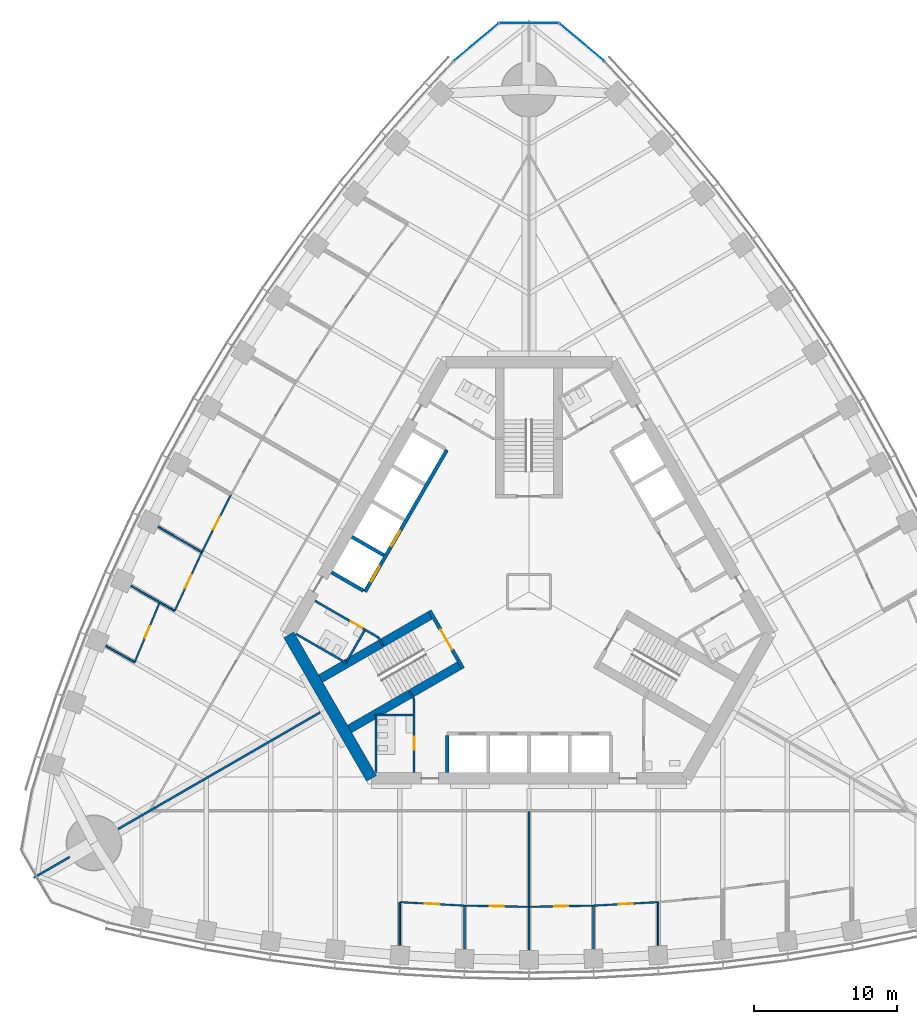
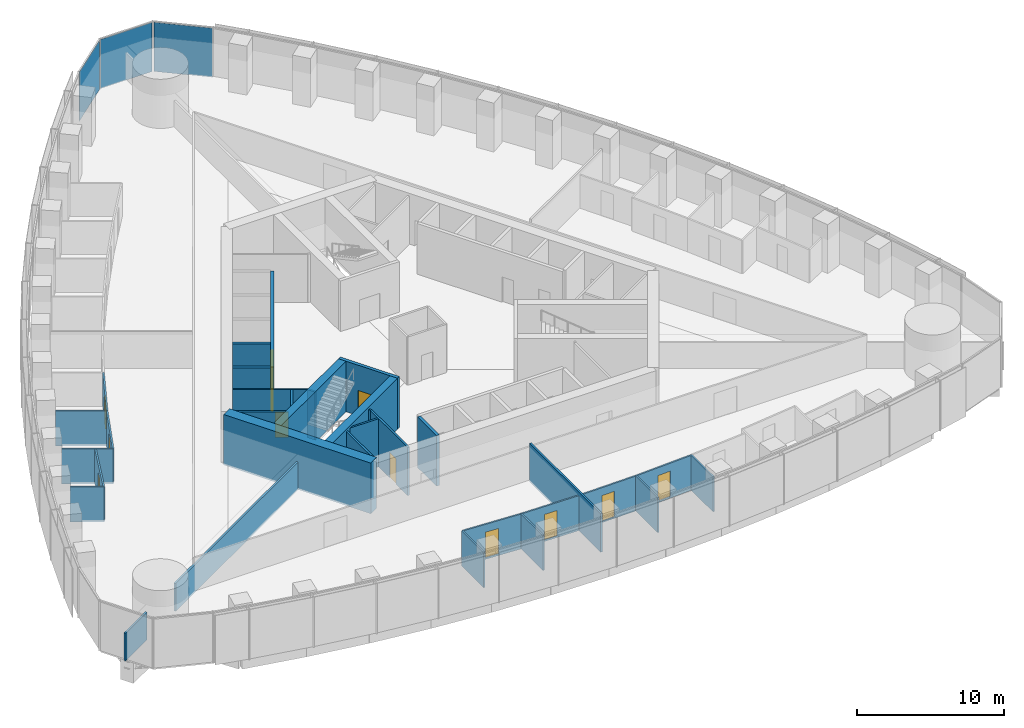
# One storey, part 11 of 19: 33 walls, 12 doors, 3 plates, 12 openings, 1 element without a shape of its own.
"""IFC4 building model written with IfcOpenShell, lengths in metres."""

from ifc_helpers import new_model, si_unit, direction, frame, frame_2d, origin, origin_2d, place, context, subcontext, project, spatial, rectangle, extrude, material, layer, layer_set, type_object, element, fill, aggregate, save


model = new_model("IFC4")

# Units and contexts
model_context = context("Model", 3, precision=1e-05, world=origin(), true_north=direction((0.0, 1.0)))
body_context = subcontext(model_context, "Body", "Model", "MODEL_VIEW")
ifc_project = project(units=[si_unit("LENGTHUNIT", "METRE"), si_unit("AREAUNIT", "SQUARE_METRE"), si_unit("VOLUMEUNIT", "CUBIC_METRE"), si_unit("PLANEANGLEUNIT", "RADIAN"), si_unit("MASSUNIT", "GRAM", prefix="KILO")], contexts=[model_context])

# Site, building, storey
site_placement = place(None, origin())
site = spatial("IfcSite", under=ifc_project, at=site_placement, CompositionType="ELEMENT")
building_placement = place(site_placement, origin())
building = spatial("IfcBuilding", under=site, at=building_placement, Name="Trefoil Bronze Tower", CompositionType="ELEMENT")
storey_placement = place(building_placement, frame((0.0, 0.0, 132.5)))
storey = spatial("IfcBuildingStorey", under=building, at=storey_placement, Name="L30", CompositionType="ELEMENT", Elevation=132.5)

# Curtain wall, plates
ifc_material_1 = material(Name="Tinted solar-control glass", Category="glass")
curtain_wall_type = type_object("IfcCurtainWallType", Name="Bronze rounded corner curtain wall", PredefinedType="USERDEFINED", material=ifc_material_1)
curtain_wall_placement = place(storey_placement, origin())
curtain_wall = element("IfcCurtainWall", 1, at=curtain_wall_placement, inside=storey, type_object=curtain_wall_type, Name="CW-B L30 K2", ObjectType="CURTAIN WALL", PredefinedType="USERDEFINED")
ifc_material_2 = material(Name="Tinted solar-control glass", Category="glass")
ifc_layer_1 = layer(ifc_material_2, 0.030029296875)
ifc_layer_set_1 = layer_set([ifc_layer_1], Name="Bronze rounded corner curtain wall glass panel")
plate_type = type_object("IfcPlateType", Name="Bronze rounded corner curtain wall glass panel", PredefinedType="CURTAIN_PANEL", material=ifc_layer_set_1)
plate_1_placement = place(storey_placement, frame((3.6884765625, 38.294921875, 0.0), z_axis=(0.0, 0.0, 1.0), x_axis=(-0.766044443119, 0.642787609687, 0.0)))
plate_1 = element("IfcPlate", 2, at=plate_1_placement, type_object=plate_type, Name="CW-B L30 K2 panel 1", PredefinedType="CURTAIN_PANEL", context=body_context, shape_type="SweptSolid", body=[
    extrude(rectangle(XDim=4.044189453125, YDim=0.030029296875, at=origin_2d()), origin(), (0.0, 0.0, 1.0), 4.080078125),
])
plate_2_placement = place(storey_placement, frame((0.0, 39.637451171875, 0.0), z_axis=(0.0, 0.0, 1.0), x_axis=(-1.0, 0.0, 0.0)))
plate_2 = element("IfcPlate", 3, at=plate_2_placement, type_object=plate_type, Name="CW-B L30 K2 panel 2", PredefinedType="CURTAIN_PANEL", context=body_context, shape_type="SweptSolid", body=[
    extrude(rectangle(XDim=4.044189453125, YDim=0.030029296875, at=origin_2d()), origin(), (0.0, 0.0, 1.0), 4.080078125),
])
plate_3_placement = place(storey_placement, frame((-3.6884765625, 38.294921875, 0.0), z_axis=(0.0, 0.0, 1.0), x_axis=(-0.766044443119, -0.642787609687, 0.0)))
plate_3 = element("IfcPlate", 4, at=plate_3_placement, type_object=plate_type, Name="CW-B L30 K2 panel 3", PredefinedType="CURTAIN_PANEL", context=body_context, shape_type="SweptSolid", body=[
    extrude(rectangle(XDim=4.044189453125, YDim=0.030029296875, at=origin_2d()), origin(), (0.0, 0.0, 1.0), 4.080078125),
])
aggregate(curtain_wall, [plate_1, plate_2, plate_3])

# Wall
ifc_material_3 = material(Name="Concrete B80", Category="concrete")
ifc_layer_2 = layer(ifc_material_3, 0.800048828125)
ifc_layer_set_2 = layer_set([ifc_layer_2], Name="Core wall 800")
wall_type_1 = type_object("IfcWallType", Name="Core wall 800", PredefinedType="SHEAR", material=ifc_layer_set_2)
wall_1_placement = place(storey_placement, frame((-16.7431640625, -3.0, 0.0), z_axis=(0.0, 0.0, 1.0), x_axis=(0.499995765644, -0.866027848477, 0.0)))
element("IfcWall", 5, at=wall_1_placement, inside=storey, type_object=wall_type_1, Name="Core short wall 3 L30", PredefinedType="SHEAR", context=body_context, shape_type="SweptSolid", body=[
    extrude(rectangle(XDim=11.546875, YDim=0.800048828125, at=frame_2d((5.7734375, 0.0))), origin(), (0.0, 0.0, 1.0), 4.199951171875),
])

# Wall, opening, door
ifc_material_4 = material(Name="Glazed partition", Category="glass")
ifc_layer_3 = layer(ifc_material_4, 0.1201171875)
ifc_layer_set_3 = layer_set([ifc_layer_3], Name="Glazed partition 120")
wall_type_2 = type_object("IfcWallType", Name="Glazed partition 120", PredefinedType="PARTITIONING", material=ifc_layer_set_3)
wall_2_placement = place(storey_placement, frame((0.0, -21.94970703125, 0.0), z_axis=(0.0, 0.0, 1.0), x_axis=(0.999837820638, 0.018009231578, 0.0)))
wall_2 = element("IfcWall", 6, at=wall_2_placement, inside=storey, type_object=wall_type_2, Name="Partition F1 L30", PredefinedType="PARTITIONING", context=body_context, shape_type="SweptSolid", body=[
    extrude(rectangle(XDim=4.500732421875, YDim=0.1201171875, at=frame_2d((2.25048828125, 0.0))), origin(), (0.0, 0.0, 1.0), 2.89990234375),
])
opening_1_placement = place(wall_2_placement, frame((1.75, 0.0, 0.14990234375)))
opening_1 = element("IfcOpeningElement", 7, at=opening_1_placement, cuts=wall_2, Name="Opening D9", PredefinedType="OPENING", context=body_context, shape_type="SweptSolid", body=[
    extrude(rectangle(XDim=1.0, YDim=2.10009765625, at=frame_2d((0.5, 1.050048828125))), frame((0.0, 0.070068359375, 0.0), z_axis=(0.0, -1.0, 0.0), x_axis=(1.0, 0.0, 0.0)), (0.0, 0.0, 1.0), 0.14013671875),
])
ifc_material_5 = material(Name="Glazed timber door", Category="wood")
door_type_1 = type_object("IfcDoorType", Name="Meeting room door 1000", OperationType="SINGLE_SWING_LEFT", PredefinedType="DOOR", material=ifc_material_5)
door_1_placement = place(opening_1_placement, frame((1.0, 0.0, 0.0), z_axis=(0.0, 0.0, 1.0), x_axis=(-1.0, 0.0, 0.0)))
door_1 = element("IfcDoor", 8, at=door_1_placement, inside=storey, type_object=door_type_1, Name="Project room door F1 L30", OperationType="SINGLE_SWING_RIGHT", OverallHeight=2.10009765625, OverallWidth=1.0, PredefinedType="DOOR", context=body_context, shape_type="SweptSolid", body=[
    extrude(rectangle(XDim=1.0, YDim=2.10009765625, at=frame_2d((0.5, 1.050048828125))), frame((0.0, 0.02490234375, 0.0), z_axis=(0.0, -1.0, 0.0), x_axis=(1.0, 0.0, 0.0)), (0.0, 0.0, 1.0), 0.050048828125),
])
fill(opening_1, door_1)

wall_3_placement = place(storey_placement, frame((4.5, -21.86865234375, 0.0), z_axis=(0.0, 0.0, 1.0), x_axis=(0.998537376538, 0.054065771581, 0.0)))
wall_3 = element("IfcWall", 9, at=wall_3_placement, inside=storey, type_object=wall_type_2, Name="Partition F1 L30", PredefinedType="PARTITIONING", context=body_context, shape_type="SweptSolid", body=[
    extrude(rectangle(XDim=4.506591796875, YDim=0.1201171875, at=frame_2d((2.25341796875, 0.0))), origin(), (0.0, 0.0, 1.0), 2.89990234375),
])
opening_2_placement = place(wall_3_placement, frame((1.75, 0.0, 0.14990234375)))
opening_2 = element("IfcOpeningElement", 10, at=opening_2_placement, cuts=wall_3, Name="Opening D9", PredefinedType="OPENING", context=body_context, shape_type="SweptSolid", body=[
    extrude(rectangle(XDim=1.0, YDim=2.10009765625, at=frame_2d((0.5, 1.050048828125))), frame((0.0, 0.070068359375, 0.0), z_axis=(0.0, -1.0, 0.0), x_axis=(1.0, 0.0, 0.0)), (0.0, 0.0, 1.0), 0.14013671875),
])
door_2_placement = place(opening_2_placement, frame((1.0, 0.0, 0.0), z_axis=(0.0, 0.0, 1.0), x_axis=(-1.0, 0.0, 0.0)))
door_2 = element("IfcDoor", 11, at=door_2_placement, inside=storey, type_object=door_type_1, Name="Project room door F1 L30", OperationType="SINGLE_SWING_RIGHT", OverallHeight=2.10009765625, OverallWidth=1.0, PredefinedType="DOOR", context=body_context, shape_type="SweptSolid", body=[
    extrude(rectangle(XDim=1.0, YDim=2.10009765625, at=frame_2d((0.5, 1.050048828125))), frame((0.0, 0.02490234375, 0.0), z_axis=(0.0, -1.0, 0.0), x_axis=(1.0, 0.0, 0.0)), (0.0, 0.0, 1.0), 0.050048828125),
])
fill(opening_2, door_2)

wall_4_placement = place(storey_placement, frame((-4.5, -21.86865234375, 0.0), z_axis=(0.0, 0.0, 1.0), x_axis=(0.999837820638, -0.018009231578, 0.0)))
wall_4 = element("IfcWall", 12, at=wall_4_placement, inside=storey, type_object=wall_type_2, Name="Partition F1 L30", PredefinedType="PARTITIONING", context=body_context, shape_type="SweptSolid", body=[
    extrude(rectangle(XDim=4.500732421875, YDim=0.1201171875, at=frame_2d((2.25048828125, 0.0))), origin(), (0.0, 0.0, 1.0), 2.89990234375),
])
opening_3_placement = place(wall_4_placement, frame((1.75, 0.0, 0.14990234375)))
opening_3 = element("IfcOpeningElement", 13, at=opening_3_placement, cuts=wall_4, Name="Opening D9", PredefinedType="OPENING", context=body_context, shape_type="SweptSolid", body=[
    extrude(rectangle(XDim=1.0, YDim=2.10009765625, at=frame_2d((0.5, 1.050048828125))), frame((0.0, 0.070068359375, 0.0), z_axis=(0.0, -1.0, 0.0), x_axis=(1.0, 0.0, 0.0)), (0.0, 0.0, 1.0), 0.14013671875),
])
door_3_placement = place(opening_3_placement, frame((1.0, 0.0, 0.0), z_axis=(0.0, 0.0, 1.0), x_axis=(-1.0, 0.0, 0.0)))
door_3 = element("IfcDoor", 14, at=door_3_placement, inside=storey, type_object=door_type_1, Name="Project room door F1 L30", OperationType="SINGLE_SWING_RIGHT", OverallHeight=2.10009765625, OverallWidth=1.0, PredefinedType="DOOR", context=body_context, shape_type="SweptSolid", body=[
    extrude(rectangle(XDim=1.0, YDim=2.10009765625, at=frame_2d((0.5, 1.050048828125))), frame((0.0, 0.02490234375, 0.0), z_axis=(0.0, -1.0, 0.0), x_axis=(1.0, 0.0, 0.0)), (0.0, 0.0, 1.0), 0.050048828125),
])
fill(opening_3, door_3)

wall_5_placement = place(storey_placement, frame((-9.0, -21.625, 0.0), z_axis=(0.0, 0.0, 1.0), x_axis=(0.998537376538, -0.054065771581, 0.0)))
wall_5 = element("IfcWall", 15, at=wall_5_placement, inside=storey, type_object=wall_type_2, Name="Partition F1 L30", PredefinedType="PARTITIONING", context=body_context, shape_type="SweptSolid", body=[
    extrude(rectangle(XDim=4.506591796875, YDim=0.1201171875, at=frame_2d((2.25341796875, 0.0))), origin(), (0.0, 0.0, 1.0), 2.89990234375),
])
opening_4_placement = place(wall_5_placement, frame((1.75, 0.0, 0.14990234375)))
opening_4 = element("IfcOpeningElement", 16, at=opening_4_placement, cuts=wall_5, Name="Opening D9", PredefinedType="OPENING", context=body_context, shape_type="SweptSolid", body=[
    extrude(rectangle(XDim=1.0, YDim=2.10009765625, at=frame_2d((0.5, 1.050048828125))), frame((0.0, 0.070068359375, 0.0), z_axis=(0.0, -1.0, 0.0), x_axis=(1.0, 0.0, 0.0)), (0.0, 0.0, 1.0), 0.14013671875),
])
door_4_placement = place(opening_4_placement, frame((1.0, 0.0, 0.0), z_axis=(0.0, 0.0, 1.0), x_axis=(-1.0, 0.0, 0.0)))
door_4 = element("IfcDoor", 17, at=door_4_placement, inside=storey, type_object=door_type_1, Name="Project room door F1 L30", OperationType="SINGLE_SWING_RIGHT", OverallHeight=2.10009765625, OverallWidth=1.0, PredefinedType="DOOR", context=body_context, shape_type="SweptSolid", body=[
    extrude(rectangle(XDim=1.0, YDim=2.10009765625, at=frame_2d((0.5, 1.050048828125))), frame((0.0, 0.02490234375, 0.0), z_axis=(0.0, -1.0, 0.0), x_axis=(1.0, 0.0, 0.0)), (0.0, 0.0, 1.0), 0.050048828125),
])
fill(opening_4, door_4)

# Walls
wall_6_placement = place(storey_placement, frame((4.5, -21.86865234375, 0.0), z_axis=(0.0, 0.0, 1.0), x_axis=(0.0, -1.0, 0.0)))
element("IfcWall", 18, at=wall_6_placement, inside=storey, type_object=wall_type_2, Name="Partition F1 L30", PredefinedType="PARTITIONING", context=body_context, shape_type="SweptSolid", body=[
    extrude(rectangle(XDim=3.01904296875, YDim=0.1201171875, at=frame_2d((1.509521484375, 0.0))), origin(), (0.0, 0.0, 1.0), 2.89990234375),
])
wall_7_placement = place(storey_placement, frame((9.0, -21.625, 0.0), z_axis=(0.0, 0.0, 1.0), x_axis=(0.0, -1.0, 0.0)))
element("IfcWall", 19, at=wall_7_placement, inside=storey, type_object=wall_type_2, Name="Partition F1 L30", PredefinedType="PARTITIONING", context=body_context, shape_type="SweptSolid", body=[
    extrude(rectangle(XDim=3.01611328125, YDim=0.1201171875, at=frame_2d((1.508056640625, 0.0))), origin(), (0.0, 0.0, 1.0), 2.89990234375),
])
wall_8_placement = place(storey_placement, frame((-4.5, -21.86865234375, 0.0), z_axis=(0.0, 0.0, 1.0), x_axis=(0.0, -1.0, 0.0)))
element("IfcWall", 20, at=wall_8_placement, inside=storey, type_object=wall_type_2, Name="Partition F1 L30", PredefinedType="PARTITIONING", context=body_context, shape_type="SweptSolid", body=[
    extrude(rectangle(XDim=3.01904296875, YDim=0.1201171875, at=frame_2d((1.509521484375, 0.0))), origin(), (0.0, 0.0, 1.0), 2.89990234375),
])
wall_9_placement = place(storey_placement, frame((-9.0, -21.625, 0.0), z_axis=(0.0, 0.0, 1.0), x_axis=(0.0, -1.0, 0.0)))
element("IfcWall", 21, at=wall_9_placement, inside=storey, type_object=wall_type_2, Name="Partition F1 L30", PredefinedType="PARTITIONING", context=body_context, shape_type="SweptSolid", body=[
    extrude(rectangle(XDim=3.01611328125, YDim=0.1201171875, at=frame_2d((1.508056640625, 0.0))), origin(), (0.0, 0.0, 1.0), 2.89990234375),
])

# Wall, opening, door
wall_10_placement = place(storey_placement, frame((-25.7314453125, -0.732421875, 0.0), z_axis=(0.0, 0.0, 1.0), x_axis=(-0.386742917128, -0.92218757097, 0.0)))
wall_10 = element("IfcWall", 22, at=wall_10_placement, inside=storey, type_object=wall_type_2, Name="Partition F3 L30", PredefinedType="PARTITIONING", context=body_context, shape_type="SweptSolid", body=[
    extrude(rectangle(XDim=4.536376953125, YDim=0.1201171875, at=frame_2d((2.26806640625, 0.0))), origin(), (0.0, 0.0, 1.0), 2.89990234375),
])
opening_5_placement = place(wall_10_placement, frame((1.800048828125, 0.0, 0.14990234375)))
opening_5 = element("IfcOpeningElement", 23, at=opening_5_placement, cuts=wall_10, Name="Opening D8", PredefinedType="OPENING", context=body_context, shape_type="SweptSolid", body=[
    extrude(rectangle(XDim=0.89990234375, YDim=2.10009765625, at=frame_2d((0.449951171875, 1.050048828125))), frame((0.0, 0.070068359375, 0.0), z_axis=(0.0, -1.0, 0.0), x_axis=(1.0, 0.0, 0.0)), (0.0, 0.0, 1.0), 0.14013671875),
])
ifc_material_6 = material(Name="Timber door", Category="wood")
door_type_2 = type_object("IfcDoorType", Name="Office door 900", OperationType="SINGLE_SWING_LEFT", PredefinedType="DOOR", material=ifc_material_6)
door_5_placement = place(opening_5_placement, frame((0.89990234375, 0.0, 0.0), z_axis=(0.0, 0.0, 1.0), x_axis=(-1.0, 0.0, 0.0)))
door_5 = element("IfcDoor", 24, at=door_5_placement, inside=storey, type_object=door_type_2, Name="Pantry door F3 L30", OperationType="SINGLE_SWING_RIGHT", OverallHeight=2.10009765625, OverallWidth=0.89990234375, PredefinedType="DOOR", context=body_context, shape_type="SweptSolid", body=[
    extrude(rectangle(XDim=0.89990234375, YDim=2.10009765625, at=frame_2d((0.449951171875, 1.050048828125))), frame((0.0, 0.02490234375, 0.0), z_axis=(0.0, -1.0, 0.0), x_axis=(1.0, 0.0, 0.0)), (0.0, 0.0, 1.0), 0.050048828125),
])
fill(opening_5, door_5)

wall_11_placement = place(storey_placement, frame((-20.755615234375, 6.787109375, 0.0), z_axis=(0.0, 0.0, 1.0), x_axis=(-0.452471679136, -0.891778772779, 0.0)))
wall_11 = element("IfcWall", 25, at=wall_11_placement, inside=storey, type_object=wall_type_2, Name="Partition F3 L30", PredefinedType="PARTITIONING", context=body_context, shape_type="SweptSolid", body=[
    extrude(rectangle(XDim=4.506591796875, YDim=0.1201171875, at=frame_2d((2.25341796875, 0.0))), origin(), (0.0, 0.0, 1.0), 2.89990234375),
])
opening_6_placement = place(wall_11_placement, frame((1.75, 0.0, 0.14990234375)))
opening_6 = element("IfcOpeningElement", 26, at=opening_6_placement, cuts=wall_11, Name="Opening D9", PredefinedType="OPENING", context=body_context, shape_type="SweptSolid", body=[
    extrude(rectangle(XDim=1.0, YDim=2.10009765625, at=frame_2d((0.5, 1.050048828125))), frame((0.0, 0.070068359375, 0.0), z_axis=(0.0, -1.0, 0.0), x_axis=(1.0, 0.0, 0.0)), (0.0, 0.0, 1.0), 0.14013671875),
])
door_6_placement = place(opening_6_placement, frame((1.0, 0.0, 0.0), z_axis=(0.0, 0.0, 1.0), x_axis=(-1.0, 0.0, 0.0)))
door_6 = element("IfcDoor", 27, at=door_6_placement, inside=storey, type_object=door_type_1, Name="Meeting room door F3 L30", OperationType="SINGLE_SWING_RIGHT", OverallHeight=2.10009765625, OverallWidth=1.0, PredefinedType="DOOR", context=body_context, shape_type="SweptSolid", body=[
    extrude(rectangle(XDim=1.0, YDim=2.10009765625, at=frame_2d((0.5, 1.050048828125))), frame((0.0, 0.02490234375, 0.0), z_axis=(0.0, -1.0, 0.0), x_axis=(1.0, 0.0, 0.0)), (0.0, 0.0, 1.0), 0.050048828125),
])
fill(opening_6, door_6)

wall_12_placement = place(storey_placement, frame((-22.794677734375, 2.768310546875, 0.0), z_axis=(0.0, 0.0, 1.0), x_axis=(-0.41992827805, -0.90755729367, 0.0)))
wall_12 = element("IfcWall", 28, at=wall_12_placement, inside=storey, type_object=wall_type_2, Name="Partition F3 L30", PredefinedType="PARTITIONING", context=body_context, shape_type="SweptSolid", body=[
    extrude(rectangle(XDim=4.5185546875, YDim=0.1201171875, at=frame_2d((2.25927734375, 0.0))), origin(), (0.0, 0.0, 1.0), 2.89990234375),
])
opening_7_placement = place(wall_12_placement, frame((1.75, 0.0, 0.14990234375)))
opening_7 = element("IfcOpeningElement", 29, at=opening_7_placement, cuts=wall_12, Name="Opening D9", PredefinedType="OPENING", context=body_context, shape_type="SweptSolid", body=[
    extrude(rectangle(XDim=1.0, YDim=2.10009765625, at=frame_2d((0.5, 1.050048828125))), frame((0.0, 0.070068359375, 0.0), z_axis=(0.0, -1.0, 0.0), x_axis=(1.0, 0.0, 0.0)), (0.0, 0.0, 1.0), 0.14013671875),
])
door_7_placement = place(opening_7_placement, frame((1.0, 0.0, 0.0), z_axis=(0.0, 0.0, 1.0), x_axis=(-1.0, 0.0, 0.0)))
door_7 = element("IfcDoor", 30, at=door_7_placement, inside=storey, type_object=door_type_1, Name="Meeting room door F3 L30", OperationType="SINGLE_SWING_RIGHT", OverallHeight=2.10009765625, OverallWidth=1.0, PredefinedType="DOOR", context=body_context, shape_type="SweptSolid", body=[
    extrude(rectangle(XDim=1.0, YDim=2.10009765625, at=frame_2d((0.5, 1.050048828125))), frame((0.0, 0.02490234375, 0.0), z_axis=(0.0, -1.0, 0.0), x_axis=(1.0, 0.0, 0.0)), (0.0, 0.0, 1.0), 0.050048828125),
])
fill(opening_7, door_7)

# Walls
wall_13_placement = place(storey_placement, frame((-24.692138671875, -1.33251953125, 0.0), z_axis=(0.0, 0.0, 1.0), x_axis=(-0.86600959659, 0.500027377864, 0.0)))
element("IfcWall", 31, at=wall_13_placement, inside=storey, type_object=wall_type_2, Name="Partition F3 L30", PredefinedType="PARTITIONING", context=body_context, shape_type="SweptSolid", body=[
    extrude(rectangle(XDim=3.511474609375, YDim=0.1201171875, at=frame_2d((1.755859375, 0.0))), origin(), (0.0, 0.0, 1.0), 2.89990234375),
])
wall_14_placement = place(storey_placement, frame((-27.48583984375, -4.915771484375, 0.0), z_axis=(0.0, 0.0, 1.0), x_axis=(-0.865991504495, 0.500058710695, 0.0)))
element("IfcWall", 32, at=wall_14_placement, inside=storey, type_object=wall_type_2, Name="Partition F3 L30", PredefinedType="PARTITIONING", context=body_context, shape_type="SweptSolid", body=[
    extrude(rectangle(XDim=2.304443359375, YDim=0.1201171875, at=frame_2d((1.15234375, 0.0))), origin(), (0.0, 0.0, 1.0), 2.89990234375),
])
wall_15_placement = place(storey_placement, frame((-22.794677734375, 2.768310546875, 0.0), z_axis=(0.0, 0.0, 1.0), x_axis=(-0.866034119795, 0.499984903122, 0.0)))
element("IfcWall", 33, at=wall_15_placement, inside=storey, type_object=wall_type_2, Name="Partition F3 L30", PredefinedType="PARTITIONING", context=body_context, shape_type="SweptSolid", body=[
    extrude(rectangle(XDim=3.51611328125, YDim=0.1201171875, at=frame_2d((1.758056640625, 0.0))), origin(), (0.0, 0.0, 1.0), 2.89990234375),
])

# Wall, opening, door
ifc_material_7 = material(Name="Gypsum board on steel studs", Category="steel")
ifc_layer_4 = layer(ifc_material_7, 0.14990234375)
ifc_layer_set_4 = layer_set([ifc_layer_4], Name="Partition 150")
wall_type_3 = type_object("IfcWallType", Name="Partition 150", PredefinedType="PARTITIONING", material=ifc_layer_set_4)
wall_16_placement = place(storey_placement, frame((-8.0, -7.5, 0.0), z_axis=(0.0, 0.0, 1.0), x_axis=(0.0, -1.0, 0.0)))
wall_16 = element("IfcWall", 34, at=wall_16_placement, inside=storey, type_object=wall_type_3, Name="Passage wall F1- L30", PredefinedType="PARTITIONING", context=body_context, shape_type="SweptSolid", body=[
    extrude(rectangle(XDim=5.10009765625, YDim=0.14990234375, at=frame_2d((2.550048828125, 0.0))), origin(), (0.0, 0.0, 1.0), 4.0),
])
opening_8_placement = place(wall_16_placement, frame((2.60009765625, 0.0, 0.0)))
opening_8 = element("IfcOpeningElement", 35, at=opening_8_placement, cuts=wall_16, Name="Opening D3", PredefinedType="OPENING", context=body_context, shape_type="SweptSolid", body=[
    extrude(rectangle(XDim=0.89990234375, YDim=2.10009765625, at=frame_2d((0.449951171875, 1.050048828125))), frame((0.0, 0.0849609375, 0.0), z_axis=(0.0, -1.0, 0.0), x_axis=(1.0, 0.0, 0.0)), (0.0, 0.0, 1.0), 0.169921875),
])
ifc_material_8 = material(Name="Timber door", Category="wood")
door_type_3 = type_object("IfcDoorType", Name="WC door 900", OperationType="SINGLE_SWING_LEFT", PredefinedType="DOOR", material=ifc_material_8)
door_8_placement = place(opening_8_placement, frame((0.89990234375, 0.0, 0.0), z_axis=(0.0, 0.0, 1.0), x_axis=(-1.0, 0.0, 0.0)))
door_8 = element("IfcDoor", 36, at=door_8_placement, inside=storey, type_object=door_type_3, Name="WC (women) door L30", OperationType="SINGLE_SWING_RIGHT", OverallHeight=2.10009765625, OverallWidth=0.89990234375, PredefinedType="DOOR", context=body_context, shape_type="SweptSolid", body=[
    extrude(rectangle(XDim=0.89990234375, YDim=2.10009765625, at=frame_2d((0.449951171875, 1.050048828125))), frame((0.0, 0.02490234375, 0.0), z_axis=(0.0, -1.0, 0.0), x_axis=(1.0, 0.0, 0.0)), (0.0, 0.0, 1.0), 0.050048828125),
])
fill(opening_8, door_8)

wall_17_placement = place(storey_placement, frame((-10.4951171875, -3.17822265625, 0.0), z_axis=(0.0, 0.0, 1.0), x_axis=(-0.86602216432, 0.500005610874, 0.0)))
wall_17 = element("IfcWall", 37, at=wall_17_placement, inside=storey, type_object=wall_type_3, Name="Passage wall F3+ L30", PredefinedType="PARTITIONING", context=body_context, shape_type="SweptSolid", body=[
    extrude(rectangle(XDim=5.10009765625, YDim=0.14990234375, at=frame_2d((2.550048828125, 0.0))), origin(), (0.0, 0.0, 1.0), 4.0),
])
opening_9_placement = place(wall_17_placement, frame((1.300048828125, 0.0, 0.0)))
opening_9 = element("IfcOpeningElement", 38, at=opening_9_placement, cuts=wall_17, Name="Opening D3", PredefinedType="OPENING", context=body_context, shape_type="SweptSolid", body=[
    extrude(rectangle(XDim=0.89990234375, YDim=2.10009765625, at=frame_2d((0.449951171875, 1.050048828125))), frame((0.0, 0.0849609375, 0.0), z_axis=(0.0, -1.0, 0.0), x_axis=(1.0, 0.0, 0.0)), (0.0, 0.0, 1.0), 0.169921875),
])
door_9_placement = place(opening_9_placement, origin())
door_9 = element("IfcDoor", 39, at=door_9_placement, inside=storey, type_object=door_type_3, Name="WC (men) door L30", OperationType="SINGLE_SWING_LEFT", OverallHeight=2.10009765625, OverallWidth=0.89990234375, PredefinedType="DOOR", context=body_context, shape_type="SweptSolid", body=[
    extrude(rectangle(XDim=0.89990234375, YDim=2.10009765625, at=frame_2d((0.449951171875, 1.050048828125))), frame((0.0, 0.02490234375, 0.0), z_axis=(0.0, -1.0, 0.0), x_axis=(1.0, 0.0, 0.0)), (0.0, 0.0, 1.0), 0.050048828125),
])
fill(opening_9, door_9)

# Walls
for number, where, z_axis, x_axis, name in (
    (40, (-10.4951171875, -3.17822265625, 0.0), (0.0, 0.0, 1.0), (0.499842556608, -0.866116284689, 0.0), "WC wall ST3-1 L30"),
    (41, (-8.0, -7.5, 0.0), (0.0, 0.0, 1.0), (-0.499842556608, 0.866116284689, 0.0), "WC wall ST3+1 L30"),
):
    element("IfcWall", number, at=place(storey_placement, frame(where, z_axis=z_axis, x_axis=x_axis)), inside=storey, type_object=wall_type_3, Name=name, PredefinedType="PARTITIONING", context=body_context, shape_type="SweptSolid", body=[
        extrude(rectangle(XDim=0.645263671875, YDim=0.14990234375, at=frame_2d((0.32275390625, 0.0))), origin(), (0.0, 0.0, 1.0), 4.0),
    ])
wall_18_placement = place(storey_placement, frame((-12.691162109375, -4.98193359375, 0.0), z_axis=(0.0, 0.0, 1.0), x_axis=(-0.8660249478, 0.500000789788, 0.0)))
element("IfcWall", 42, at=wall_18_placement, inside=storey, type_object=wall_type_3, Name="WC partition WC (men) L30", PredefinedType="PARTITIONING", context=body_context, shape_type="SweptSolid", body=[
    extrude(rectangle(XDim=4.10009765625, YDim=0.14990234375, at=frame_2d((2.050048828125, 0.0))), origin(), (0.0, 0.0, 1.0), 4.0),
])
wall_19_placement = place(storey_placement, frame((-11.463623046875, -2.70556640625, 0.0), z_axis=(0.0, 0.0, 1.0), x_axis=(-0.50001992892, -0.866013897511, 0.0)))
element("IfcWall", 43, at=wall_19_placement, inside=storey, type_object=wall_type_3, Name="WC partition WC (men) L30", PredefinedType="PARTITIONING", context=body_context, shape_type="SweptSolid", body=[
    extrude(rectangle(XDim=2.51025390625, YDim=0.14990234375, at=frame_2d((1.255126953125, 0.0))), origin(), (0.0, 0.0, 1.0), 4.0),
])
wall_20_placement = place(storey_placement, frame((-10.659912109375, -8.5, 0.0), z_axis=(0.0, 0.0, 1.0), x_axis=(0.0, -1.0, 0.0)))
element("IfcWall", 44, at=wall_20_placement, inside=storey, type_object=wall_type_3, Name="WC partition WC (women) L30", PredefinedType="PARTITIONING", context=body_context, shape_type="SweptSolid", body=[
    extrude(rectangle(XDim=4.10009765625, YDim=0.14990234375, at=frame_2d((2.050048828125, 0.0))), origin(), (0.0, 0.0, 1.0), 4.0),
])
wall_21_placement = place(storey_placement, frame((-8.074951171875, -8.574951171875, 0.0), z_axis=(0.0, 0.0, 1.0), x_axis=(-1.0, 0.0, 0.0)))
element("IfcWall", 45, at=wall_21_placement, inside=storey, type_object=wall_type_3, Name="WC partition WC (women) L30", PredefinedType="PARTITIONING", context=body_context, shape_type="SweptSolid", body=[
    extrude(rectangle(XDim=2.510009765625, YDim=0.14990234375, at=frame_2d((1.2548828125, 0.0))), origin(), (0.0, 0.0, 1.0), 4.0),
])
ifc_material_9 = material(Name="Gypsum board on steel studs", Category="steel")
ifc_layer_5 = layer(ifc_material_9, 0.14990234375)
ifc_layer_set_5 = layer_set([ifc_layer_5], Name="Party wall 150")
wall_type_4 = type_object("IfcWallType", Name="Party wall 150", PredefinedType="PARTITIONING", material=ifc_layer_set_5)
wall_22_placement = place(storey_placement, frame((-14.202880859375, -8.199951171875, 0.0), z_axis=(0.0, 0.0, 1.0), x_axis=(-0.866024668836, -0.500001272966, 0.0)))
element("IfcWall", 46, at=wall_22_placement, inside=storey, type_object=wall_type_4, Name="Party wall K3 L30", PredefinedType="PARTITIONING", context=body_context, shape_type="SweptSolid", body=[
    extrude(rectangle(XDim=16.64990234375, YDim=0.14990234375, at=frame_2d((8.324951171875, 0.0))), origin(), (0.0, 0.0, 1.0), 2.300048828125),
])
wall_23_placement = place(storey_placement, frame((-31.999755859375, -18.47509765625, 0.0), z_axis=(0.0, 0.0, 1.0), x_axis=(-0.866042548026, -0.499970304126, 0.0)))
element("IfcWall", 47, at=wall_23_placement, inside=storey, type_object=wall_type_4, Name="Party wall K3 L30", PredefinedType="PARTITIONING", context=body_context, shape_type="SweptSolid", body=[
    extrude(rectangle(XDim=2.899169921875, YDim=0.14990234375, at=frame_2d((1.44970703125, 0.0))), origin(), (0.0, 0.0, 1.0), 2.300048828125),
])
wall_24_placement = place(storey_placement, frame((0.0, -15.320068359375, 0.0), z_axis=(0.0, 0.0, 1.0), x_axis=(0.0, -1.0, 0.0)))
element("IfcWall", 48, at=wall_24_placement, inside=storey, type_object=wall_type_4, Name="Demising wall F1 L30", PredefinedType="PARTITIONING", context=body_context, shape_type="SweptSolid", body=[
    extrude(rectangle(XDim=9.649658203125, YDim=0.14990234375, at=frame_2d((4.82470703125, 0.0))), origin(), (0.0, 0.0, 1.0), 3.199951171875),
])
ifc_material_10 = material(Name="Concrete B80", Category="concrete")
ifc_layer_6 = layer(ifc_material_10, 0.25)
ifc_layer_set_6 = layer_set([ifc_layer_6], Name="Shaft wall 250")
wall_type_5 = type_object("IfcWallType", Name="Shaft wall 250", PredefinedType="SHEAR", material=ifc_layer_set_6)
wall_25_placement = place(storey_placement, frame((-5.699951171875, -10.02490234375, 0.0), z_axis=(0.0, 0.0, 1.0), x_axis=(0.0, -1.0, 0.0)))
element("IfcWall", 49, at=wall_25_placement, inside=storey, type_object=wall_type_5, Name="Lift shaft side wall A0 L30", PredefinedType="SHEAR", context=body_context, shape_type="SweptSolid", body=[
    extrude(rectangle(XDim=2.5751953125, YDim=0.25, at=frame_2d((1.28759765625, 0.0))), origin(), (0.0, 0.0, 1.0), 4.199951171875),
])

# Wall, openings, doors
wall_26_placement = place(storey_placement, frame((-5.7236328125, 9.88623046875, 0.0), z_axis=(0.0, 0.0, 1.0), x_axis=(-0.500001763848, -0.866024385424, 0.0)))
wall_26 = element("IfcWall", 50, at=wall_26_placement, inside=storey, type_object=wall_type_5, Name="Lift shaft front wall C L30", PredefinedType="SHEAR", context=body_context, shape_type="SweptSolid", body=[
    extrude(rectangle(XDim=11.39990234375, YDim=0.25, at=frame_2d((5.699951171875, 0.0))), origin(), (0.0, 0.0, 1.0), 4.199951171875),
])
opening_10_placement = place(wall_26_placement, frame((6.52490234375, 0.0, 0.0)))
opening_10 = element("IfcOpeningElement", 51, at=opening_10_placement, cuts=wall_26, Name="Opening LD-FL1", PredefinedType="OPENING", context=body_context, shape_type="SweptSolid", body=[
    extrude(rectangle(XDim=1.199951171875, YDim=2.199951171875, at=frame_2d((0.60009765625, 1.10009765625))), frame((0.0, 0.135009765625, 0.0), z_axis=(0.0, -1.0, 0.0), x_axis=(1.0, 0.0, 0.0)), (0.0, 0.0, 1.0), 0.27001953125),
])
opening_11_placement = place(wall_26_placement, frame((9.375, 0.0, 0.0)))
opening_11 = element("IfcOpeningElement", 52, at=opening_11_placement, cuts=wall_26, Name="Opening LD-FL2", PredefinedType="OPENING", context=body_context, shape_type="SweptSolid", body=[
    extrude(rectangle(XDim=1.199951171875, YDim=2.199951171875, at=frame_2d((0.60009765625, 1.10009765625))), frame((0.0, 0.135009765625, 0.0), z_axis=(0.0, -1.0, 0.0), x_axis=(1.0, 0.0, 0.0)), (0.0, 0.0, 1.0), 0.27001953125),
])
ifc_material_11 = material(Name="Steel door", Category="steel")
door_type_4 = type_object("IfcDoorType", Name="Lift landing door 1200", OperationType="DOUBLE_DOOR_SLIDING", PredefinedType="DOOR", material=ifc_material_11)
door_10_placement = place(opening_10_placement, origin())
door_10 = element("IfcDoor", 53, at=door_10_placement, inside=storey, type_object=door_type_4, Name="Lift FL1 landing door L30", OperationType="DOUBLE_DOOR_SLIDING", OverallHeight=2.199951171875, OverallWidth=1.199951171875, PredefinedType="DOOR", context=body_context, shape_type="SweptSolid", body=[
    extrude(rectangle(XDim=1.199951171875, YDim=2.199951171875, at=frame_2d((0.60009765625, 1.10009765625))), frame((0.0, 0.02490234375, 0.0), z_axis=(0.0, -1.0, 0.0), x_axis=(1.0, 0.0, 0.0)), (0.0, 0.0, 1.0), 0.050048828125),
])
fill(opening_10, door_10)
door_11_placement = place(opening_11_placement, origin())
door_11 = element("IfcDoor", 54, at=door_11_placement, inside=storey, type_object=door_type_4, Name="Lift FL2 landing door L30", OperationType="DOUBLE_DOOR_SLIDING", OverallHeight=2.199951171875, OverallWidth=1.199951171875, PredefinedType="DOOR", context=body_context, shape_type="SweptSolid", body=[
    extrude(rectangle(XDim=1.199951171875, YDim=2.199951171875, at=frame_2d((0.60009765625, 1.10009765625))), frame((0.0, 0.02490234375, 0.0), z_axis=(0.0, -1.0, 0.0), x_axis=(1.0, 0.0, 0.0)), (0.0, 0.0, 1.0), 0.050048828125),
])
fill(opening_11, door_11)

# Walls
for number, where, z_axis, x_axis, name in (
    (55, (-10.10693359375, 2.54443359375, 0.0), (0.0, 0.0, 1.0), (-0.866046643894, 0.499963209246, 0.0), "Lift shaft side wall C3 L30"),
    (56, (-11.531982421875, 0.076171875, 0.0), (0.0, 0.0, 1.0), (-0.866005588531, 0.500034319456, 0.0), "Lift shaft side wall C4 L30"),
):
    element("IfcWall", number, at=place(storey_placement, frame(where, z_axis=z_axis, x_axis=x_axis)), inside=storey, type_object=wall_type_5, Name=name, PredefinedType="SHEAR", context=body_context, shape_type="SweptSolid", body=[
        extrude(rectangle(XDim=2.574951171875, YDim=0.25, at=frame_2d((1.28759765625, 0.0))), origin(), (0.0, 0.0, 1.0), 4.199951171875),
    ])

# Wall, opening, door
wall_27_placement = place(storey_placement, frame((-6.921630859375, -1.3115234375, 0.0), z_axis=(0.0, 0.0, 1.0), x_axis=(0.499984536904, -0.866034331223, 0.0)))
wall_27 = element("IfcWall", 57, at=wall_27_placement, inside=storey, type_object=wall_type_5, Name="Stair end wall ST3 L30", PredefinedType="SHEAR", context=body_context, shape_type="SweptSolid", body=[
    extrude(rectangle(XDim=4.650146484375, YDim=0.25, at=frame_2d((2.3251953125, 0.0))), origin(), (0.0, 0.0, 1.0), 4.199951171875),
])
opening_12_placement = place(wall_27_placement, frame((1.52490234375, 0.0, 0.0)))
opening_12 = element("IfcOpeningElement", 58, at=opening_12_placement, cuts=wall_27, Name="Opening D1", PredefinedType="OPENING", context=body_context, shape_type="SweptSolid", body=[
    extrude(rectangle(XDim=1.60009765625, YDim=2.10009765625, at=frame_2d((0.800048828125, 1.050048828125))), frame((0.0, 0.135009765625, 0.0), z_axis=(0.0, -1.0, 0.0), x_axis=(1.0, 0.0, 0.0)), (0.0, 0.0, 1.0), 0.27001953125),
])
ifc_material_12 = material(Name="Steel door", Category="steel")
door_type_5 = type_object("IfcDoorType", Name="Stair door 1600", OperationType="DOUBLE_DOOR_SINGLE_SWING", PredefinedType="DOOR", material=ifc_material_12)
door_12_placement = place(opening_12_placement, frame((1.60009765625, 0.0, 0.0), z_axis=(0.0, 0.0, 1.0), x_axis=(-1.0, 0.0, 0.0)))
door_12 = element("IfcDoor", 59, at=door_12_placement, inside=storey, type_object=door_type_5, Name="Stair door ST3 L30", OperationType="DOUBLE_DOOR_SINGLE_SWING", OverallHeight=2.10009765625, OverallWidth=1.60009765625, PredefinedType="DOOR", context=body_context, shape_type="SweptSolid", body=[
    extrude(rectangle(XDim=1.60009765625, YDim=2.10009765625, at=frame_2d((0.800048828125, 1.050048828125))), frame((0.0, 0.02490234375, 0.0), z_axis=(0.0, -1.0, 0.0), x_axis=(1.0, 0.0, 0.0)), (0.0, 0.0, 1.0), 0.050048828125),
])
fill(opening_12, door_12)

# Walls
ifc_material_13 = material(Name="Concrete B80", Category="concrete")
ifc_layer_7 = layer(ifc_material_13, 0.60009765625)
ifc_layer_set_7 = layer_set([ifc_layer_7], Name="Stair wall 600")
wall_type_6 = type_object("IfcWallType", Name="Stair wall 600", PredefinedType="SHEAR", material=ifc_layer_set_7)
for number, where, z_axis, x_axis, name in (
    (60, (-6.663330078125, -1.5087890625, 0.0), (0.0, 0.0, 1.0), (-0.866019375473, -0.500010441196, 0.0), "Stair wall ST3 L30"),
    (61, (-4.638427734375, -5.01611328125, 0.0), (0.0, 0.0, 1.0), (-0.866019375473, -0.500010441196, 0.0), "Stair wall ST3 L30"),
):
    element("IfcWall", number, at=place(storey_placement, frame(where, z_axis=z_axis, x_axis=x_axis)), inside=storey, type_object=wall_type_6, Name=name, PredefinedType="SHEAR", context=body_context, shape_type="SweptSolid", body=[
        extrude(rectangle(XDim=9.074951171875, YDim=0.60009765625, at=frame_2d((4.53759765625, 0.0))), origin(), (0.0, 0.0, 1.0), 4.199951171875),
    ])

save(model, "model.ifc")
